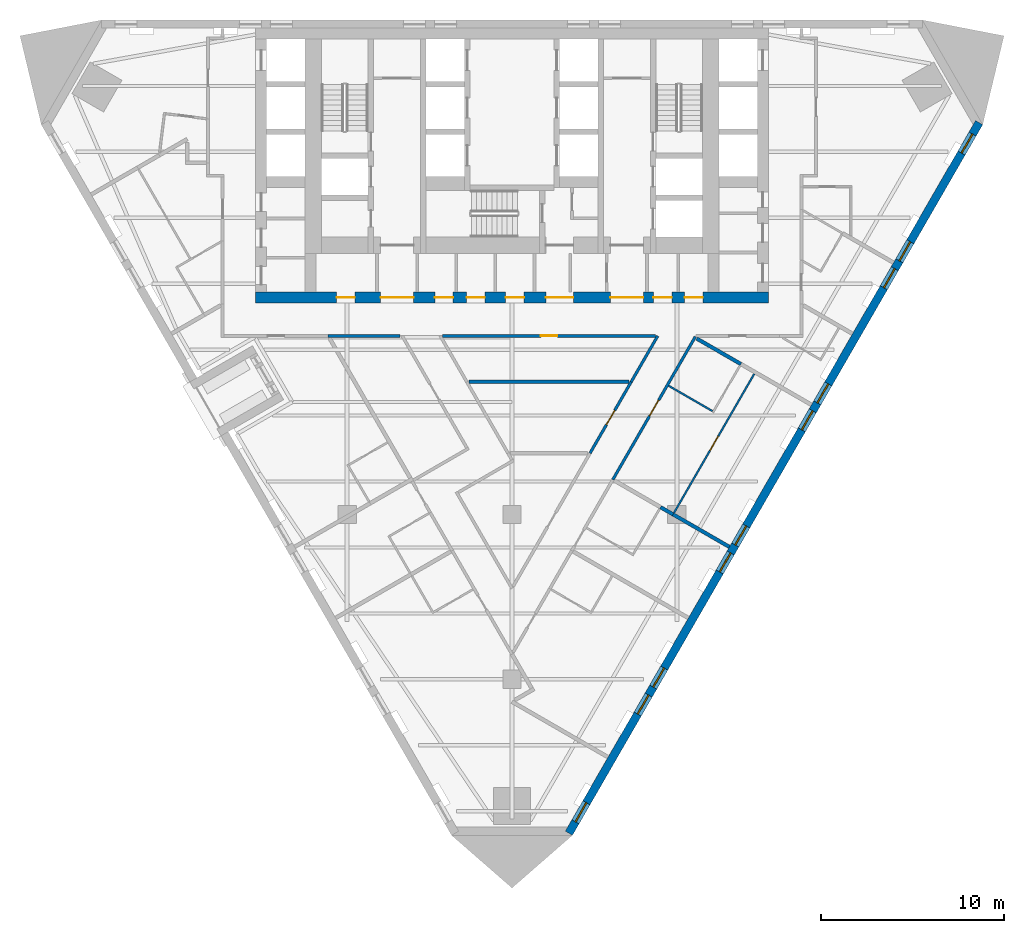
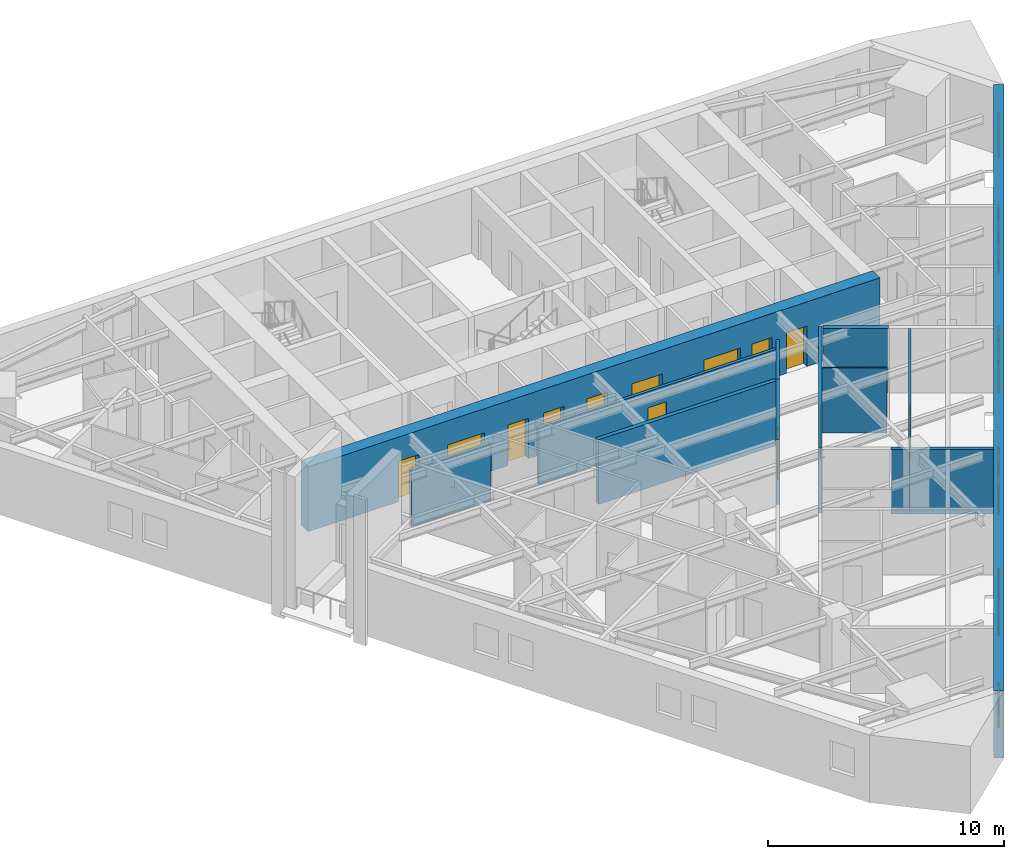
# One storey, part 4 of 9: 13 doors, 13 walls, 10 windows, 23 openings.
"""IFC4 building model written with IfcOpenShell, lengths in metres."""

from ifc_helpers import new_model, si_unit, direction, frame, frame_2d, origin, place, context, subcontext, project, spatial, polyline, rectangle, outline, extrude, material, layer, layer_set, type_object, element, fill, save


model = new_model("IFC4")

# Units and contexts
model_context = context("Model", 3, precision=1e-05, world=origin(), true_north=direction((0.0, 1.0)))
body_context = subcontext(model_context, "Body", "Model", "MODEL_VIEW")
ifc_project = project(units=[si_unit("LENGTHUNIT", "METRE"), si_unit("AREAUNIT", "SQUARE_METRE"), si_unit("VOLUMEUNIT", "CUBIC_METRE"), si_unit("PLANEANGLEUNIT", "RADIAN"), si_unit("MASSUNIT", "GRAM", prefix="KILO")], contexts=[model_context])

# Site, building, storey
site_placement = place(None, origin())
site = spatial("IfcSite", under=ifc_project, at=site_placement, CompositionType="ELEMENT")
building_placement = place(site_placement, origin())
building = spatial("IfcBuilding", under=site, at=building_placement, Name="Aloe Facet Convention Tower", CompositionType="ELEMENT")
storey_placement = place(building_placement, frame((0.0, 0.0, 52.5)))
storey = spatial("IfcBuildingStorey", under=building, at=storey_placement, Name="L11", CompositionType="ELEMENT", Elevation=52.5)

# Wall, openings, doors
ifc_material_1 = material(Name="Concrete C80/95", Category="concrete")
ifc_layer_1 = layer(ifc_material_1, 0.60009765625)
ifc_layer_set_1 = layer_set([ifc_layer_1], Name="CR-W-RC600-C8095")
wall_type_1 = type_object("IfcWallType", Name="CR-W-RC600-C8095", PredefinedType="SOLIDWALL", material=ifc_layer_set_1)
wall_1_placement = place(storey_placement, frame((66.0, 119.85009765625, 0.0), z_axis=(0.0, 0.0, 1.0), x_axis=(1.0, 0.0, 0.0)))
wall_1 = element("IfcWall", 1, at=wall_1_placement, inside=storey, type_object=wall_type_1, Name="Core wall L11-003", PredefinedType="SOLIDWALL", context=body_context, shape_type="SweptSolid", body=[
    extrude(rectangle(XDim=28.0, YDim=0.60009765625, at=frame_2d((14.0, 0.0))), origin(), (0.0, 0.0, 1.0), 3.35009765625),
])
opening_1_placement = place(wall_1_placement, frame((6.824951171875, 0.0, 0.0)))
opening_1 = element("IfcOpeningElement", 2, at=opening_1_placement, cuts=wall_1, Name="Opening L11-CD17", PredefinedType="OPENING", context=body_context, shape_type="SweptSolid", body=[
    extrude(rectangle(XDim=1.800048828125, YDim=2.10009765625, at=frame_2d((0.89990234375, 1.050048828125))), frame((0.0, 0.31005859375, 0.0), z_axis=(0.0, -1.0, 0.0), x_axis=(1.0, 0.0, 0.0)), (0.0, 0.0, 1.0), 0.6201171875),
])
opening_2_placement = place(wall_1_placement, frame((15.85009765625, 0.0, 0.0)))
opening_2 = element("IfcOpeningElement", 3, at=opening_2_placement, cuts=wall_1, Name="Opening L11-CD18", PredefinedType="OPENING", context=body_context, shape_type="SweptSolid", body=[
    extrude(rectangle(XDim=1.5, YDim=2.10009765625, at=frame_2d((0.75, 1.050048828125))), frame((0.0, 0.31005859375, 0.0), z_axis=(0.0, -1.0, 0.0), x_axis=(1.0, 0.0, 0.0)), (0.0, 0.0, 1.0), 0.6201171875),
])
opening_3_placement = place(wall_1_placement, frame((19.375, 0.0, 0.0)))
opening_3 = element("IfcOpeningElement", 4, at=opening_3_placement, cuts=wall_1, Name="Opening L11-CD19", PredefinedType="OPENING", context=body_context, shape_type="SweptSolid", body=[
    extrude(rectangle(XDim=1.800048828125, YDim=2.10009765625, at=frame_2d((0.89990234375, 1.050048828125))), frame((0.0, 0.31005859375, 0.0), z_axis=(0.0, -1.0, 0.0), x_axis=(1.0, 0.0, 0.0)), (0.0, 0.0, 1.0), 0.6201171875),
])
opening_4_placement = place(wall_1_placement, frame((4.425048828125, 0.0, 0.0)))
opening_4 = element("IfcOpeningElement", 5, at=opening_4_placement, cuts=wall_1, Name="Opening L11-CD24", PredefinedType="OPENING", context=body_context, shape_type="SweptSolid", body=[
    extrude(rectangle(XDim=1.0, YDim=2.10009765625, at=frame_2d((0.5, 1.050048828125))), frame((0.0, 0.31005859375, 0.0), z_axis=(0.0, -1.0, 0.0), x_axis=(1.0, 0.0, 0.0)), (0.0, 0.0, 1.0), 0.6201171875),
])
opening_5_placement = place(wall_1_placement, frame((9.783203125, 0.0, 0.0)))
opening_5 = element("IfcOpeningElement", 6, at=opening_5_placement, cuts=wall_1, Name="Opening L11-CD25", PredefinedType="OPENING", context=body_context, shape_type="SweptSolid", body=[
    extrude(rectangle(XDim=1.0, YDim=2.10009765625, at=frame_2d((0.5, 1.050048828125))), frame((0.0, 0.31005859375, 0.0), z_axis=(0.0, -1.0, 0.0), x_axis=(1.0, 0.0, 0.0)), (0.0, 0.0, 1.0), 0.6201171875),
])
opening_6_placement = place(wall_1_placement, frame((11.52490234375, 0.0, 0.0)))
opening_6 = element("IfcOpeningElement", 7, at=opening_6_placement, cuts=wall_1, Name="Opening L11-CD26", PredefinedType="OPENING", context=body_context, shape_type="SweptSolid", body=[
    extrude(rectangle(XDim=1.0, YDim=2.10009765625, at=frame_2d((0.5, 1.050048828125))), frame((0.0, 0.31005859375, 0.0), z_axis=(0.0, -1.0, 0.0), x_axis=(1.0, 0.0, 0.0)), (0.0, 0.0, 1.0), 0.6201171875),
])
opening_7_placement = place(wall_1_placement, frame((13.658203125, 0.0, 0.0)))
opening_7 = element("IfcOpeningElement", 8, at=opening_7_placement, cuts=wall_1, Name="Opening L11-CD27", PredefinedType="OPENING", context=body_context, shape_type="SweptSolid", body=[
    extrude(rectangle(XDim=1.0, YDim=2.10009765625, at=frame_2d((0.5, 1.050048828125))), frame((0.0, 0.31005859375, 0.0), z_axis=(0.0, -1.0, 0.0), x_axis=(1.0, 0.0, 0.0)), (0.0, 0.0, 1.0), 0.6201171875),
])
opening_8_placement = place(wall_1_placement, frame((21.72509765625, 0.0, 0.0)))
opening_8 = element("IfcOpeningElement", 9, at=opening_8_placement, cuts=wall_1, Name="Opening L11-CD29", PredefinedType="OPENING", context=body_context, shape_type="SweptSolid", body=[
    extrude(rectangle(XDim=1.0, YDim=2.10009765625, at=frame_2d((0.5, 1.050048828125))), frame((0.0, 0.31005859375, 0.0), z_axis=(0.0, -1.0, 0.0), x_axis=(1.0, 0.0, 0.0)), (0.0, 0.0, 1.0), 0.6201171875),
])
opening_9_placement = place(wall_1_placement, frame((23.425048828125, 0.0, 0.0)))
opening_9 = element("IfcOpeningElement", 10, at=opening_9_placement, cuts=wall_1, Name="Opening L11-CD30", PredefinedType="OPENING", context=body_context, shape_type="SweptSolid", body=[
    extrude(rectangle(XDim=1.0, YDim=2.10009765625, at=frame_2d((0.5, 1.050048828125))), frame((0.0, 0.31005859375, 0.0), z_axis=(0.0, -1.0, 0.0), x_axis=(1.0, 0.0, 0.0)), (0.0, 0.0, 1.0), 0.6201171875),
])
ifc_material_2 = material(Name="Steel fire-resisting door set FD60", Category="steel")
door_type_1 = type_object("IfcDoorType", Name="CR-D-EXIT-1500-FD60-DD", OperationType="DOUBLE_DOOR_DOUBLE_SWING", PredefinedType="DOOR", material=ifc_material_2)
door_1_placement = place(opening_2_placement, origin())
door_1 = element("IfcDoor", 11, at=door_1_placement, inside=storey, type_object=door_type_1, Name="Core door L11-CD18", OperationType="DOUBLE_DOOR_DOUBLE_SWING", OverallHeight=2.10009765625, OverallWidth=1.5, PredefinedType="DOOR", context=body_context, shape_type="SweptSolid", body=[
    extrude(rectangle(XDim=1.5, YDim=2.10009765625, at=frame_2d((0.75, 1.050048828125))), frame((0.0, 0.02490234375, 0.0), z_axis=(0.0, -1.0, 0.0), x_axis=(1.0, 0.0, 0.0)), (0.0, 0.0, 1.0), 0.050048828125),
])
fill(opening_2, door_1)
ifc_material_3 = material(Name="Steel fire-resisting door set FD60", Category="steel")
door_type_2 = type_object("IfcDoorType", Name="CR-D-EXIT-1800-FD60-DD", OperationType="DOUBLE_DOOR_DOUBLE_SWING", PredefinedType="DOOR", material=ifc_material_3)
door_2_placement = place(opening_1_placement, origin())
door_2 = element("IfcDoor", 12, at=door_2_placement, inside=storey, type_object=door_type_2, Name="Core door L11-CD17", OperationType="DOUBLE_DOOR_DOUBLE_SWING", OverallHeight=2.10009765625, OverallWidth=1.800048828125, PredefinedType="DOOR", context=body_context, shape_type="SweptSolid", body=[
    extrude(rectangle(XDim=1.800048828125, YDim=2.10009765625, at=frame_2d((0.89990234375, 1.050048828125))), frame((0.0, 0.02490234375, 0.0), z_axis=(0.0, -1.0, 0.0), x_axis=(1.0, 0.0, 0.0)), (0.0, 0.0, 1.0), 0.050048828125),
])
fill(opening_1, door_2)
door_3_placement = place(opening_3_placement, origin())
door_3 = element("IfcDoor", 13, at=door_3_placement, inside=storey, type_object=door_type_2, Name="Core door L11-CD19", OperationType="DOUBLE_DOOR_DOUBLE_SWING", OverallHeight=2.10009765625, OverallWidth=1.800048828125, PredefinedType="DOOR", context=body_context, shape_type="SweptSolid", body=[
    extrude(rectangle(XDim=1.800048828125, YDim=2.10009765625, at=frame_2d((0.89990234375, 1.050048828125))), frame((0.0, 0.02490234375, 0.0), z_axis=(0.0, -1.0, 0.0), x_axis=(1.0, 0.0, 0.0)), (0.0, 0.0, 1.0), 0.050048828125),
])
fill(opening_3, door_3)
ifc_material_4 = material(Name="Steel fire-resisting door set FD60", Category="steel")
door_type_3 = type_object("IfcDoorType", Name="CR-D-ROOM-1000-FD60-SRIGHT", OperationType="SINGLE_SWING_RIGHT", PredefinedType="DOOR", material=ifc_material_4)
door_4_placement = place(opening_4_placement, origin())
door_4 = element("IfcDoor", 14, at=door_4_placement, inside=storey, type_object=door_type_3, Name="Core door L11-CD24", OperationType="SINGLE_SWING_RIGHT", OverallHeight=2.10009765625, OverallWidth=1.0, PredefinedType="DOOR", context=body_context, shape_type="SweptSolid", body=[
    extrude(rectangle(XDim=1.0, YDim=2.10009765625, at=frame_2d((0.5, 1.050048828125))), frame((0.0, 0.02490234375, 0.0), z_axis=(0.0, -1.0, 0.0), x_axis=(1.0, 0.0, 0.0)), (0.0, 0.0, 1.0), 0.050048828125),
])
fill(opening_4, door_4)
door_5_placement = place(opening_5_placement, origin())
door_5 = element("IfcDoor", 15, at=door_5_placement, inside=storey, type_object=door_type_3, Name="Core door L11-CD25", OperationType="SINGLE_SWING_RIGHT", OverallHeight=2.10009765625, OverallWidth=1.0, PredefinedType="DOOR", context=body_context, shape_type="SweptSolid", body=[
    extrude(rectangle(XDim=1.0, YDim=2.10009765625, at=frame_2d((0.5, 1.050048828125))), frame((0.0, 0.02490234375, 0.0), z_axis=(0.0, -1.0, 0.0), x_axis=(1.0, 0.0, 0.0)), (0.0, 0.0, 1.0), 0.050048828125),
])
fill(opening_5, door_5)
door_6_placement = place(opening_6_placement, origin())
door_6 = element("IfcDoor", 16, at=door_6_placement, inside=storey, type_object=door_type_3, Name="Core door L11-CD26", OperationType="SINGLE_SWING_RIGHT", OverallHeight=2.10009765625, OverallWidth=1.0, PredefinedType="DOOR", context=body_context, shape_type="SweptSolid", body=[
    extrude(rectangle(XDim=1.0, YDim=2.10009765625, at=frame_2d((0.5, 1.050048828125))), frame((0.0, 0.02490234375, 0.0), z_axis=(0.0, -1.0, 0.0), x_axis=(1.0, 0.0, 0.0)), (0.0, 0.0, 1.0), 0.050048828125),
])
fill(opening_6, door_6)
door_7_placement = place(opening_7_placement, origin())
door_7 = element("IfcDoor", 17, at=door_7_placement, inside=storey, type_object=door_type_3, Name="Core door L11-CD27", OperationType="SINGLE_SWING_RIGHT", OverallHeight=2.10009765625, OverallWidth=1.0, PredefinedType="DOOR", context=body_context, shape_type="SweptSolid", body=[
    extrude(rectangle(XDim=1.0, YDim=2.10009765625, at=frame_2d((0.5, 1.050048828125))), frame((0.0, 0.02490234375, 0.0), z_axis=(0.0, -1.0, 0.0), x_axis=(1.0, 0.0, 0.0)), (0.0, 0.0, 1.0), 0.050048828125),
])
fill(opening_7, door_7)
door_8_placement = place(opening_8_placement, origin())
door_8 = element("IfcDoor", 18, at=door_8_placement, inside=storey, type_object=door_type_3, Name="Core door L11-CD29", OperationType="SINGLE_SWING_RIGHT", OverallHeight=2.10009765625, OverallWidth=1.0, PredefinedType="DOOR", context=body_context, shape_type="SweptSolid", body=[
    extrude(rectangle(XDim=1.0, YDim=2.10009765625, at=frame_2d((0.5, 1.050048828125))), frame((0.0, 0.02490234375, 0.0), z_axis=(0.0, -1.0, 0.0), x_axis=(1.0, 0.0, 0.0)), (0.0, 0.0, 1.0), 0.050048828125),
])
fill(opening_8, door_8)
door_9_placement = place(opening_9_placement, origin())
door_9 = element("IfcDoor", 19, at=door_9_placement, inside=storey, type_object=door_type_3, Name="Core door L11-CD30", OperationType="SINGLE_SWING_RIGHT", OverallHeight=2.10009765625, OverallWidth=1.0, PredefinedType="DOOR", context=body_context, shape_type="SweptSolid", body=[
    extrude(rectangle(XDim=1.0, YDim=2.10009765625, at=frame_2d((0.5, 1.050048828125))), frame((0.0, 0.02490234375, 0.0), z_axis=(0.0, -1.0, 0.0), x_axis=(1.0, 0.0, 0.0)), (0.0, 0.0, 1.0), 0.050048828125),
])
fill(opening_9, door_9)

# Wall, openings, windows
ifc_material_5 = material(Name="Precast concrete C40/50", Category="concrete")
ifc_layer_2 = layer(ifc_material_5, 0.449951171875)
ifc_layer_set_2 = layer_set([ifc_layer_2], Name="EV-WALL-STONE")
wall_type_2 = type_object("IfcWallType", Name="EV-WALL-STONE", PredefinedType="SOLIDWALL", material=ifc_layer_set_2)
wall_2_placement = place(storey_placement, frame((83.105224609375, 90.598876953125, -0.14990234375), z_axis=(0.0, 0.0, 1.0), x_axis=(0.499999201451, 0.866025864826, 0.0)))
wall_2 = element("IfcWall", 20, at=wall_2_placement, inside=storey, type_object=wall_type_2, Name="EW-L11-E01", PredefinedType="SOLIDWALL", context=body_context, shape_type="SweptSolid", body=[
    extrude(outline(polyline([(44.800048828125, 0.0), (44.800048828125, 3.5), (0.0, 3.5), (0.0, 0.0), (44.800048828125, 0.0)])), frame((0.0, 0.22509765625, 0.0), z_axis=(0.0, -1.0, 0.0), x_axis=(1.0, 0.0, 0.0)), (0.0, 0.0, 1.0), 0.449951171875),
])
opening_10_placement = place(wall_2_placement, frame((0.72216796875, 0.0, 1.050048828125)))
opening_10 = element("IfcOpeningElement", 21, at=opening_10_placement, cuts=wall_2, Name="Opening W-L11-E01", PredefinedType="OPENING", context=body_context, shape_type="SweptSolid", body=[
    extrude(rectangle(XDim=1.199951171875, YDim=1.5, at=frame_2d((0.60009765625, 0.75))), frame((0.0, 0.23486328125, 0.0), z_axis=(0.0, -1.0, 0.0), x_axis=(1.0, 0.0, 0.0)), (0.0, 0.0, 1.0), 0.469970703125),
])
opening_11_placement = place(wall_2_placement, frame((7.510009765625, 0.0, 1.050048828125)))
opening_11 = element("IfcOpeningElement", 22, at=opening_11_placement, cuts=wall_2, Name="Opening W-L11-E02", PredefinedType="OPENING", context=body_context, shape_type="SweptSolid", body=[
    extrude(rectangle(XDim=1.199951171875, YDim=1.5, at=frame_2d((0.60009765625, 0.75))), frame((0.0, 0.23486328125, 0.0), z_axis=(0.0, -1.0, 0.0), x_axis=(1.0, 0.0, 0.0)), (0.0, 0.0, 1.0), 0.469970703125),
])
opening_12_placement = place(wall_2_placement, frame((9.2099609375, 0.0, 1.050048828125)))
opening_12 = element("IfcOpeningElement", 23, at=opening_12_placement, cuts=wall_2, Name="Opening W-L11-E03", PredefinedType="OPENING", context=body_context, shape_type="SweptSolid", body=[
    extrude(rectangle(XDim=1.199951171875, YDim=1.5, at=frame_2d((0.60009765625, 0.75))), frame((0.0, 0.23486328125, 0.0), z_axis=(0.0, -1.0, 0.0), x_axis=(1.0, 0.0, 0.0)), (0.0, 0.0, 1.0), 0.469970703125),
])
opening_13_placement = place(wall_2_placement, frame((16.469970703125, 0.0, 1.050048828125)))
opening_13 = element("IfcOpeningElement", 24, at=opening_13_placement, cuts=wall_2, Name="Opening W-L11-E04", PredefinedType="OPENING", context=body_context, shape_type="SweptSolid", body=[
    extrude(rectangle(XDim=1.199951171875, YDim=1.5, at=frame_2d((0.60009765625, 0.75))), frame((0.0, 0.23486328125, 0.0), z_axis=(0.0, -1.0, 0.0), x_axis=(1.0, 0.0, 0.0)), (0.0, 0.0, 1.0), 0.469970703125),
])
opening_14_placement = place(wall_2_placement, frame((18.169921875, 0.0, 1.050048828125)))
opening_14 = element("IfcOpeningElement", 25, at=opening_14_placement, cuts=wall_2, Name="Opening W-L11-E05", PredefinedType="OPENING", context=body_context, shape_type="SweptSolid", body=[
    extrude(rectangle(XDim=1.199951171875, YDim=1.5, at=frame_2d((0.60009765625, 0.75))), frame((0.0, 0.23486328125, 0.0), z_axis=(0.0, -1.0, 0.0), x_axis=(1.0, 0.0, 0.0)), (0.0, 0.0, 1.0), 0.469970703125),
])
opening_15_placement = place(wall_2_placement, frame((25.429931640625, 0.0, 1.050048828125)))
opening_15 = element("IfcOpeningElement", 26, at=opening_15_placement, cuts=wall_2, Name="Opening W-L11-E06", PredefinedType="OPENING", context=body_context, shape_type="SweptSolid", body=[
    extrude(rectangle(XDim=1.199951171875, YDim=1.5, at=frame_2d((0.60009765625, 0.75))), frame((0.0, 0.23486328125, 0.0), z_axis=(0.0, -1.0, 0.0), x_axis=(1.0, 0.0, 0.0)), (0.0, 0.0, 1.0), 0.469970703125),
])
opening_16_placement = place(wall_2_placement, frame((27.1298828125, 0.0, 1.050048828125)))
opening_16 = element("IfcOpeningElement", 27, at=opening_16_placement, cuts=wall_2, Name="Opening W-L11-E07", PredefinedType="OPENING", context=body_context, shape_type="SweptSolid", body=[
    extrude(rectangle(XDim=1.199951171875, YDim=1.5, at=frame_2d((0.60009765625, 0.75))), frame((0.0, 0.23486328125, 0.0), z_axis=(0.0, -1.0, 0.0), x_axis=(1.0, 0.0, 0.0)), (0.0, 0.0, 1.0), 0.469970703125),
])
opening_17_placement = place(wall_2_placement, frame((34.389892578125, 0.0, 1.050048828125)))
opening_17 = element("IfcOpeningElement", 28, at=opening_17_placement, cuts=wall_2, Name="Opening W-L11-E08", PredefinedType="OPENING", context=body_context, shape_type="SweptSolid", body=[
    extrude(rectangle(XDim=1.199951171875, YDim=1.5, at=frame_2d((0.60009765625, 0.75))), frame((0.0, 0.23486328125, 0.0), z_axis=(0.0, -1.0, 0.0), x_axis=(1.0, 0.0, 0.0)), (0.0, 0.0, 1.0), 0.469970703125),
])
opening_18_placement = place(wall_2_placement, frame((36.090087890625, 0.0, 1.050048828125)))
opening_18 = element("IfcOpeningElement", 29, at=opening_18_placement, cuts=wall_2, Name="Opening W-L11-E09", PredefinedType="OPENING", context=body_context, shape_type="SweptSolid", body=[
    extrude(rectangle(XDim=1.199951171875, YDim=1.5, at=frame_2d((0.60009765625, 0.75))), frame((0.0, 0.23486328125, 0.0), z_axis=(0.0, -1.0, 0.0), x_axis=(1.0, 0.0, 0.0)), (0.0, 0.0, 1.0), 0.469970703125),
])
opening_19_placement = place(wall_2_placement, frame((42.8779296875, 0.0, 1.050048828125)))
opening_19 = element("IfcOpeningElement", 30, at=opening_19_placement, cuts=wall_2, Name="Opening W-L11-E10", PredefinedType="OPENING", context=body_context, shape_type="SweptSolid", body=[
    extrude(rectangle(XDim=1.199951171875, YDim=1.5, at=frame_2d((0.60009765625, 0.75))), frame((0.0, 0.23486328125, 0.0), z_axis=(0.0, -1.0, 0.0), x_axis=(1.0, 0.0, 0.0)), (0.0, 0.0, 1.0), 0.469970703125),
])
ifc_material_6 = material(Name="Aluminium frame, clear double glazing", Category="aluminium")
window_type = type_object("IfcWindowType", Name="EV-WIN-H12", PartitioningType="SINGLE_PANEL", PredefinedType="WINDOW", material=ifc_material_6)
window_1_placement = place(opening_10_placement, origin())
window_1 = element("IfcWindow", 31, at=window_1_placement, inside=storey, type_object=window_type, Name="W-L11-E01", OverallHeight=1.5, OverallWidth=1.199951171875, PartitioningType="SINGLE_PANEL", PredefinedType="WINDOW", context=body_context, shape_type="SweptSolid", body=[
    extrude(rectangle(XDim=1.199951171875, YDim=1.5, at=frame_2d((0.60009765625, 0.75))), frame((0.0, 0.030029296875, 0.0), z_axis=(0.0, -1.0, 0.0), x_axis=(1.0, 0.0, 0.0)), (0.0, 0.0, 1.0), 0.06005859375),
])
fill(opening_10, window_1)
window_2_placement = place(opening_11_placement, origin())
window_2 = element("IfcWindow", 32, at=window_2_placement, inside=storey, type_object=window_type, Name="W-L11-E02", OverallHeight=1.5, OverallWidth=1.199951171875, PartitioningType="SINGLE_PANEL", PredefinedType="WINDOW", context=body_context, shape_type="SweptSolid", body=[
    extrude(rectangle(XDim=1.199951171875, YDim=1.5, at=frame_2d((0.60009765625, 0.75))), frame((0.0, 0.030029296875, 0.0), z_axis=(0.0, -1.0, 0.0), x_axis=(1.0, 0.0, 0.0)), (0.0, 0.0, 1.0), 0.06005859375),
])
fill(opening_11, window_2)
window_3_placement = place(opening_12_placement, origin())
window_3 = element("IfcWindow", 33, at=window_3_placement, inside=storey, type_object=window_type, Name="W-L11-E03", OverallHeight=1.5, OverallWidth=1.199951171875, PartitioningType="SINGLE_PANEL", PredefinedType="WINDOW", context=body_context, shape_type="SweptSolid", body=[
    extrude(rectangle(XDim=1.199951171875, YDim=1.5, at=frame_2d((0.60009765625, 0.75))), frame((0.0, 0.030029296875, 0.0), z_axis=(0.0, -1.0, 0.0), x_axis=(1.0, 0.0, 0.0)), (0.0, 0.0, 1.0), 0.06005859375),
])
fill(opening_12, window_3)
window_4_placement = place(opening_13_placement, origin())
window_4 = element("IfcWindow", 34, at=window_4_placement, inside=storey, type_object=window_type, Name="W-L11-E04", OverallHeight=1.5, OverallWidth=1.199951171875, PartitioningType="SINGLE_PANEL", PredefinedType="WINDOW", context=body_context, shape_type="SweptSolid", body=[
    extrude(rectangle(XDim=1.199951171875, YDim=1.5, at=frame_2d((0.60009765625, 0.75))), frame((0.0, 0.030029296875, 0.0), z_axis=(0.0, -1.0, 0.0), x_axis=(1.0, 0.0, 0.0)), (0.0, 0.0, 1.0), 0.06005859375),
])
fill(opening_13, window_4)
window_5_placement = place(opening_14_placement, origin())
window_5 = element("IfcWindow", 35, at=window_5_placement, inside=storey, type_object=window_type, Name="W-L11-E05", OverallHeight=1.5, OverallWidth=1.199951171875, PartitioningType="SINGLE_PANEL", PredefinedType="WINDOW", context=body_context, shape_type="SweptSolid", body=[
    extrude(rectangle(XDim=1.199951171875, YDim=1.5, at=frame_2d((0.60009765625, 0.75))), frame((0.0, 0.030029296875, 0.0), z_axis=(0.0, -1.0, 0.0), x_axis=(1.0, 0.0, 0.0)), (0.0, 0.0, 1.0), 0.06005859375),
])
fill(opening_14, window_5)
window_6_placement = place(opening_15_placement, origin())
window_6 = element("IfcWindow", 36, at=window_6_placement, inside=storey, type_object=window_type, Name="W-L11-E06", OverallHeight=1.5, OverallWidth=1.199951171875, PartitioningType="SINGLE_PANEL", PredefinedType="WINDOW", context=body_context, shape_type="SweptSolid", body=[
    extrude(rectangle(XDim=1.199951171875, YDim=1.5, at=frame_2d((0.60009765625, 0.75))), frame((0.0, 0.030029296875, 0.0), z_axis=(0.0, -1.0, 0.0), x_axis=(1.0, 0.0, 0.0)), (0.0, 0.0, 1.0), 0.06005859375),
])
fill(opening_15, window_6)
window_7_placement = place(opening_16_placement, origin())
window_7 = element("IfcWindow", 37, at=window_7_placement, inside=storey, type_object=window_type, Name="W-L11-E07", OverallHeight=1.5, OverallWidth=1.199951171875, PartitioningType="SINGLE_PANEL", PredefinedType="WINDOW", context=body_context, shape_type="SweptSolid", body=[
    extrude(rectangle(XDim=1.199951171875, YDim=1.5, at=frame_2d((0.60009765625, 0.75))), frame((0.0, 0.030029296875, 0.0), z_axis=(0.0, -1.0, 0.0), x_axis=(1.0, 0.0, 0.0)), (0.0, 0.0, 1.0), 0.06005859375),
])
fill(opening_16, window_7)
window_8_placement = place(opening_17_placement, origin())
window_8 = element("IfcWindow", 38, at=window_8_placement, inside=storey, type_object=window_type, Name="W-L11-E08", OverallHeight=1.5, OverallWidth=1.199951171875, PartitioningType="SINGLE_PANEL", PredefinedType="WINDOW", context=body_context, shape_type="SweptSolid", body=[
    extrude(rectangle(XDim=1.199951171875, YDim=1.5, at=frame_2d((0.60009765625, 0.75))), frame((0.0, 0.030029296875, 0.0), z_axis=(0.0, -1.0, 0.0), x_axis=(1.0, 0.0, 0.0)), (0.0, 0.0, 1.0), 0.06005859375),
])
fill(opening_17, window_8)
window_9_placement = place(opening_18_placement, origin())
window_9 = element("IfcWindow", 39, at=window_9_placement, inside=storey, type_object=window_type, Name="W-L11-E09", OverallHeight=1.5, OverallWidth=1.199951171875, PartitioningType="SINGLE_PANEL", PredefinedType="WINDOW", context=body_context, shape_type="SweptSolid", body=[
    extrude(rectangle(XDim=1.199951171875, YDim=1.5, at=frame_2d((0.60009765625, 0.75))), frame((0.0, 0.030029296875, 0.0), z_axis=(0.0, -1.0, 0.0), x_axis=(1.0, 0.0, 0.0)), (0.0, 0.0, 1.0), 0.06005859375),
])
fill(opening_18, window_9)
window_10_placement = place(opening_19_placement, origin())
window_10 = element("IfcWindow", 40, at=window_10_placement, inside=storey, type_object=window_type, Name="W-L11-E10", OverallHeight=1.5, OverallWidth=1.199951171875, PartitioningType="SINGLE_PANEL", PredefinedType="WINDOW", context=body_context, shape_type="SweptSolid", body=[
    extrude(rectangle(XDim=1.199951171875, YDim=1.5, at=frame_2d((0.60009765625, 0.75))), frame((0.0, 0.030029296875, 0.0), z_axis=(0.0, -1.0, 0.0), x_axis=(1.0, 0.0, 0.0)), (0.0, 0.0, 1.0), 0.06005859375),
])
fill(opening_19, window_10)

# Wall, opening, door
ifc_material_7 = material(Name="Gypsum board partition on steel studs", Category="steel")
ifc_layer_3 = layer(ifc_material_7, 0.14990234375)
ifc_layer_set_3 = layer_set([ifc_layer_3], Name="IN-W-CORR")
wall_type_3 = type_object("IfcWallType", Name="IN-W-CORR", PredefinedType="PARTITIONING", material=ifc_layer_set_3)
wall_3_placement = place(storey_placement, frame((85.5048828125, 109.905517578125, 0.0), z_axis=(0.0, 0.0, 1.0), x_axis=(0.500017993482, 0.866015014994, 0.0)))
wall_3 = element("IfcWall", 41, at=wall_3_placement, inside=storey, type_object=wall_type_3, Name="Partition L11-W037", PredefinedType="PARTITIONING", context=body_context, shape_type="SweptSolid", body=[
    extrude(rectangle(XDim=9.010009765625, YDim=0.14990234375, at=frame_2d((4.5048828125, 0.0))), origin(), (0.0, 0.0, 1.0), 3.35009765625),
])
opening_20_placement = place(wall_3_placement, frame((4.0048828125, 0.0, 0.0)))
opening_20 = element("IfcOpeningElement", 42, at=opening_20_placement, cuts=wall_3, Name="Opening L11-015", PredefinedType="OPENING", context=body_context, shape_type="SweptSolid", body=[
    extrude(rectangle(XDim=1.0, YDim=2.10009765625, at=frame_2d((0.5, 1.050048828125))), frame((0.0, 0.0849609375, 0.0), z_axis=(0.0, -1.0, 0.0), x_axis=(1.0, 0.0, 0.0)), (0.0, 0.0, 1.0), 0.169921875),
])
ifc_material_8 = material(Name="Hardwood flush door FD30S", Category="wood")
door_type_4 = type_object("IfcDoorType", Name="IN-D-WIDE", OperationType="SINGLE_SWING_LEFT", PredefinedType="DOOR", material=ifc_material_8)
door_10_placement = place(opening_20_placement, origin())
door_10 = element("IfcDoor", 43, at=door_10_placement, inside=storey, type_object=door_type_4, Name="Door L11-015", OperationType="SINGLE_SWING_LEFT", OverallHeight=2.10009765625, OverallWidth=1.0, PredefinedType="DOOR", context=body_context, shape_type="SweptSolid", body=[
    extrude(rectangle(XDim=1.0, YDim=2.10009765625, at=frame_2d((0.5, 1.050048828125))), frame((0.0, 0.02490234375, 0.0), z_axis=(0.0, -1.0, 0.0), x_axis=(1.0, 0.0, 0.0)), (0.0, 0.0, 1.0), 0.050048828125),
])
fill(opening_20, door_10)

wall_4_placement = place(storey_placement, frame((84.260498046875, 111.35009765625, 0.0), z_axis=(0.0, 0.0, 1.0), x_axis=(0.500003186274, 0.866023564181, 0.0)))
wall_4 = element("IfcWall", 44, at=wall_4_placement, inside=storey, type_object=wall_type_3, Name="Partition L11-W043", PredefinedType="PARTITIONING", context=body_context, shape_type="SweptSolid", body=[
    extrude(rectangle(XDim=4.49169921875, YDim=0.14990234375, at=frame_2d((2.245849609375, 0.0))), origin(), (0.0, 0.0, 1.0), 3.35009765625),
])
opening_21_placement = place(wall_4_placement, frame((1.7958984375, 0.0, 0.0)))
opening_21 = element("IfcOpeningElement", 45, at=opening_21_placement, cuts=wall_4, Name="Opening L11-012", PredefinedType="OPENING", context=body_context, shape_type="SweptSolid", body=[
    extrude(rectangle(XDim=0.89990234375, YDim=2.10009765625, at=frame_2d((0.449951171875, 1.050048828125))), frame((0.0, 0.0849609375, 0.0), z_axis=(0.0, -1.0, 0.0), x_axis=(1.0, 0.0, 0.0)), (0.0, 0.0, 1.0), 0.169921875),
])
ifc_material_9 = material(Name="Hardwood flush door FD30S", Category="wood")
door_type_5 = type_object("IfcDoorType", Name="IN-D-GUEST", OperationType="SINGLE_SWING_LEFT", PredefinedType="DOOR", material=ifc_material_9)
door_11_placement = place(opening_21_placement, origin())
door_11 = element("IfcDoor", 46, at=door_11_placement, inside=storey, type_object=door_type_5, Name="Door L11-012", OperationType="SINGLE_SWING_LEFT", OverallHeight=2.10009765625, OverallWidth=0.89990234375, PredefinedType="DOOR", context=body_context, shape_type="SweptSolid", body=[
    extrude(rectangle(XDim=0.89990234375, YDim=2.10009765625, at=frame_2d((0.449951171875, 1.050048828125))), frame((0.0, 0.02490234375, 0.0), z_axis=(0.0, -1.0, 0.0), x_axis=(1.0, 0.0, 0.0)), (0.0, 0.0, 1.0), 0.050048828125),
])
fill(opening_21, door_11)

# Walls
wall_5_placement = place(storey_placement, frame((86.50634765625, 115.239990234375, 0.0), z_axis=(0.0, 0.0, 1.0), x_axis=(0.500016544581, 0.866015851556, 0.0)))
element("IfcWall", 47, at=wall_5_placement, inside=storey, type_object=wall_type_3, Name="Partition L11-W054", PredefinedType="PARTITIONING", context=body_context, shape_type="SweptSolid", body=[
    extrude(rectangle(XDim=2.8984375, YDim=0.14990234375, at=frame_2d((1.44921875, 0.0))), origin(), (0.0, 0.0, 1.0), 3.35009765625),
])
wall_6_placement = place(storey_placement, frame((69.966064453125, 117.75, 0.0), z_axis=(0.0, 0.0, 1.0), x_axis=(1.0, 0.0, 0.0)))
element("IfcWall", 48, at=wall_6_placement, inside=storey, type_object=wall_type_3, Name="Partition L11-W064", PredefinedType="PARTITIONING", context=body_context, shape_type="SweptSolid", body=[
    extrude(rectangle(XDim=3.911376953125, YDim=0.14990234375, at=frame_2d((1.95556640625, 0.0))), origin(), (0.0, 0.0, 1.0), 2.9375),
])

# Wall, opening, door
wall_7_placement = place(storey_placement, frame((76.2158203125, 117.75, 0.0), z_axis=(0.0, 0.0, 1.0), x_axis=(1.0, 0.0, 0.0)))
wall_7 = element("IfcWall", 49, at=wall_7_placement, inside=storey, type_object=wall_type_3, Name="Partition L11-W066", PredefinedType="PARTITIONING", context=body_context, shape_type="SweptSolid", body=[
    extrude(rectangle(XDim=11.60986328125, YDim=0.14990234375, at=frame_2d((5.804931640625, 0.0))), origin(), (0.0, 0.0, 1.0), 2.9375),
])
opening_22_placement = place(wall_7_placement, frame((5.35498046875, 0.0, 0.0)))
opening_22 = element("IfcOpeningElement", 50, at=opening_22_placement, cuts=wall_7, Name="Opening L11-013", PredefinedType="OPENING", context=body_context, shape_type="SweptSolid", body=[
    extrude(rectangle(XDim=0.89990234375, YDim=2.10009765625, at=frame_2d((0.449951171875, 1.050048828125))), frame((0.0, 0.0849609375, 0.0), z_axis=(0.0, -1.0, 0.0), x_axis=(1.0, 0.0, 0.0)), (0.0, 0.0, 1.0), 0.169921875),
])
door_12_placement = place(opening_22_placement, origin())
door_12 = element("IfcDoor", 51, at=door_12_placement, inside=storey, type_object=door_type_5, Name="Door L11-013", OperationType="SINGLE_SWING_LEFT", OverallHeight=2.10009765625, OverallWidth=0.89990234375, PredefinedType="DOOR", context=body_context, shape_type="SweptSolid", body=[
    extrude(rectangle(XDim=0.89990234375, YDim=2.10009765625, at=frame_2d((0.449951171875, 1.050048828125))), frame((0.0, 0.02490234375, 0.0), z_axis=(0.0, -1.0, 0.0), x_axis=(1.0, 0.0, 0.0)), (0.0, 0.0, 1.0), 0.050048828125),
])
fill(opening_22, door_12)

# Wall
ifc_material_10 = material(Name="Gypsum board partition on steel studs", Category="steel")
ifc_layer_4 = layer(ifc_material_10, 0.10009765625)
ifc_layer_set_4 = layer_set([ifc_layer_4], Name="IN-W-PART")
wall_type_4 = type_object("IfcWallType", Name="IN-W-PART", PredefinedType="PARTITIONING", material=ifc_layer_set_4)
wall_8_placement = place(storey_placement, frame((88.550048828125, 115.029541015625, 0.0), z_axis=(0.0, 0.0, 1.0), x_axis=(0.866012076814, -0.50002308228, 0.0)))
element("IfcWall", 52, at=wall_8_placement, inside=storey, type_object=wall_type_4, Name="Partition L11-W050", PredefinedType="PARTITIONING", context=body_context, shape_type="SweptSolid", body=[
    extrude(rectangle(XDim=2.764892578125, YDim=0.10009765625, at=frame_2d((1.38232421875, 0.0))), origin(), (0.0, 0.0, 1.0), 3.35009765625),
])

# Wall, opening, door
wall_9_placement = place(storey_placement, frame((88.850830078125, 108.100830078125, 0.0), z_axis=(0.0, 0.0, 1.0), x_axis=(0.500004234368, 0.866022959057, 0.0)))
wall_9 = element("IfcWall", 53, at=wall_9_placement, inside=storey, type_object=wall_type_4, Name="Partition L11-W055", PredefinedType="PARTITIONING", context=body_context, shape_type="SweptSolid", body=[
    extrude(rectangle(XDim=8.75, YDim=0.10009765625, at=frame_2d((4.375, 0.0))), origin(), (0.0, 0.0, 1.0), 3.35009765625),
])
opening_23_placement = place(wall_9_placement, frame((3.925048828125, 0.0, 0.0)))
opening_23 = element("IfcOpeningElement", 54, at=opening_23_placement, cuts=wall_9, Name="Opening L11-026", PredefinedType="OPENING", context=body_context, shape_type="SweptSolid", body=[
    extrude(rectangle(XDim=0.89990234375, YDim=2.10009765625, at=frame_2d((0.449951171875, 1.050048828125))), frame((0.0, 0.06005859375, 0.0), z_axis=(0.0, -1.0, 0.0), x_axis=(1.0, 0.0, 0.0)), (0.0, 0.0, 1.0), 0.1201171875),
])
ifc_material_11 = material(Name="Timber flush door", Category="wood")
door_type_6 = type_object("IfcDoorType", Name="IN-D-INT", OperationType="SINGLE_SWING_LEFT", PredefinedType="DOOR", material=ifc_material_11)
door_13_placement = place(opening_23_placement, origin())
door_13 = element("IfcDoor", 55, at=door_13_placement, inside=storey, type_object=door_type_6, Name="Door L11-026", OperationType="SINGLE_SWING_LEFT", OverallHeight=2.10009765625, OverallWidth=0.89990234375, PredefinedType="DOOR", context=body_context, shape_type="SweptSolid", body=[
    extrude(rectangle(XDim=0.89990234375, YDim=2.10009765625, at=frame_2d((0.449951171875, 1.050048828125))), frame((0.0, 0.02490234375, 0.0), z_axis=(0.0, -1.0, 0.0), x_axis=(1.0, 0.0, 0.0)), (0.0, 0.0, 1.0), 0.050048828125),
])
fill(opening_23, door_13)

# Walls
ifc_material_12 = material(Name="Gypsum board partition on steel studs", Category="steel")
ifc_layer_5 = layer(ifc_material_12, 0.199951171875)
ifc_layer_set_5 = layer_set([ifc_layer_5], Name="IN-W-PARTY")
wall_type_5 = type_object("IfcWallType", Name="IN-W-PARTY", PredefinedType="PARTITIONING", material=ifc_layer_set_5)
wall_10_placement = place(storey_placement, frame((88.7958984375, 108.00537109375, 0.0), z_axis=(0.0, 0.0, 1.0), x_axis=(0.8660424351, -0.499970499736, 0.0)))
element("IfcWall", 56, at=wall_10_placement, inside=storey, type_object=wall_type_5, Name="Partition L11-W021", PredefinedType="PARTITIONING", context=body_context, shape_type="SweptSolid", body=[
    extrude(rectangle(XDim=3.550048828125, YDim=0.199951171875, at=frame_2d((1.77490234375, 0.0))), origin(), (0.0, 0.0, 1.0), 3.35009765625),
])
wall_11_placement = place(storey_placement, frame((88.11181640625, 108.400390625, 0.0), z_axis=(0.0, 0.0, 1.0), x_axis=(0.865989998118, -0.500061319399, 0.0)))
element("IfcWall", 57, at=wall_11_placement, inside=storey, type_object=wall_type_5, Name="Partition L11-W025", PredefinedType="PARTITIONING", context=body_context, shape_type="SweptSolid", body=[
    extrude(rectangle(XDim=0.7900390625, YDim=0.199951171875, at=frame_2d((0.39501953125, 0.0))), origin(), (0.0, 0.0, 1.0), 3.35009765625),
])
wall_12_placement = place(storey_placement, frame((77.659912109375, 115.239990234375, 0.0), z_axis=(0.0, 0.0, 1.0), x_axis=(1.0, 0.0, 0.0)))
element("IfcWall", 58, at=wall_12_placement, inside=storey, type_object=wall_type_5, Name="Partition L11-W053", PredefinedType="PARTITIONING", context=body_context, shape_type="SweptSolid", body=[
    extrude(rectangle(XDim=8.721435546875, YDim=0.199951171875, at=frame_2d((4.36083984375, 0.0))), origin(), (0.0, 0.0, 1.0), 3.35009765625),
])
wall_13_placement = place(storey_placement, frame((90.084716796875, 117.607666015625, 0.0), z_axis=(0.0, 0.0, 1.0), x_axis=(0.866011863948, -0.500023450952, 0.0)))
element("IfcWall", 59, at=wall_13_placement, inside=storey, type_object=wall_type_5, Name="Partition L11-W061", PredefinedType="PARTITIONING", context=body_context, shape_type="SweptSolid", body=[
    extrude(rectangle(XDim=2.784912109375, YDim=0.199951171875, at=frame_2d((1.392578125, 0.0))), origin(), (0.0, 0.0, 1.0), 3.35009765625),
])

save(model, "model.ifc")
